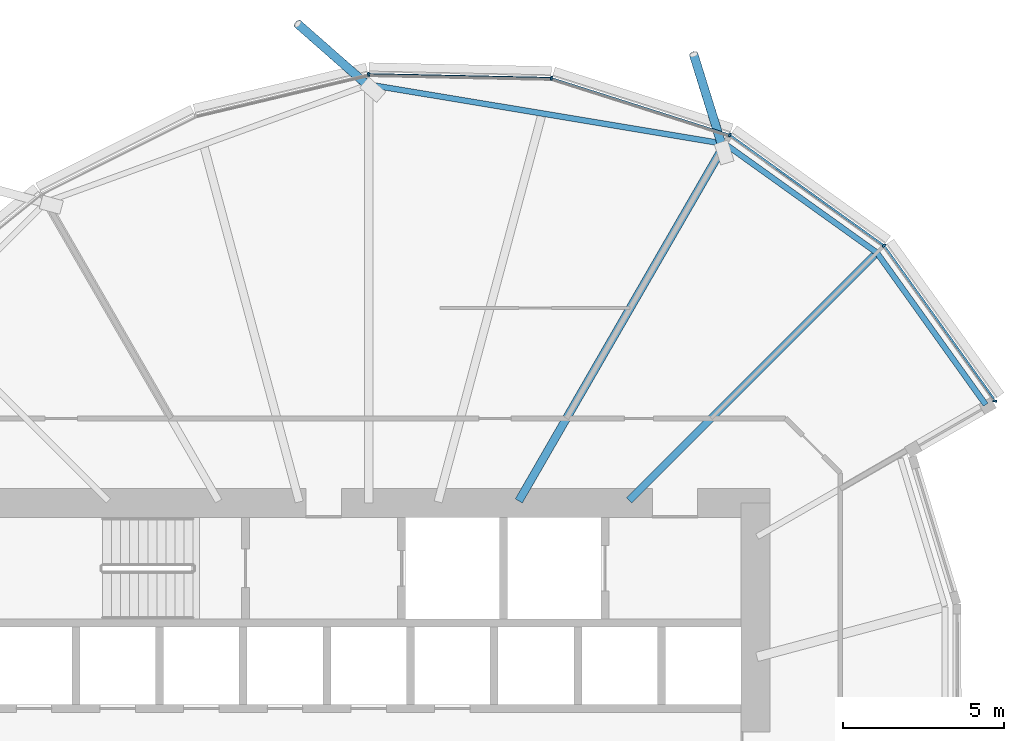
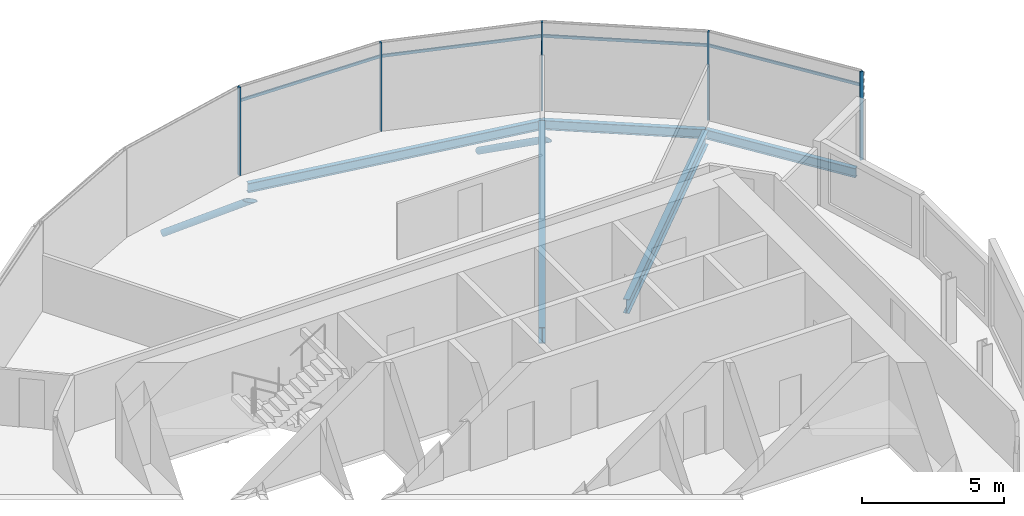
# One storey, part 18 of 38: 11 members, 5 beams, 1 element without a shape of its own.
"""IFC4 building model written with IfcOpenShell, lengths in metres."""

from ifc_helpers import new_model, si_unit, direction, frame, origin, origin_2d, place, context, subcontext, project, spatial, rectangle, hollow_circle, i_section, extrude, clip, halfspace, material, material_profile, profile_set, type_object, element, aggregate, save


model = new_model("IFC4")

# Units and contexts
model_context = context("Model", 3, precision=1e-05, world=origin(), true_north=direction((0.0, 1.0)))
body_context = subcontext(model_context, "Body", "Model", "MODEL_VIEW")
ifc_project = project(units=[si_unit("LENGTHUNIT", "METRE"), si_unit("AREAUNIT", "SQUARE_METRE"), si_unit("VOLUMEUNIT", "CUBIC_METRE"), si_unit("PLANEANGLEUNIT", "RADIAN"), si_unit("MASSUNIT", "GRAM", prefix="KILO")], contexts=[model_context])

# Site, building, storey
site_placement = place(None, origin())
site = spatial("IfcSite", under=ifc_project, at=site_placement, CompositionType="ELEMENT")
building_placement = place(site_placement, origin())
building = spatial("IfcBuilding", under=site, at=building_placement, Name="Rimbun Link Towers", CompositionType="ELEMENT")
storey_placement = place(building_placement, frame((0.0, 0.0, 49.0)))
storey = spatial("IfcBuildingStorey", under=building, at=storey_placement, Name="L11", CompositionType="ELEMENT", Elevation=49.0)

# Curtain wall, members
ifc_material_1 = material(Name="Aluminium 6063-T6 and low-iron glass", Category="aluminium")
curtain_wall_type = type_object("IfcCurtainWallType", Name="CW1 unitised vision wall", PredefinedType="NOTDEFINED", material=ifc_material_1)
curtain_wall_placement = place(storey_placement, origin())
curtain_wall = element("IfcCurtainWall", 1, at=curtain_wall_placement, inside=storey, type_object=curtain_wall_type, Name="CW1 L11 T2", PredefinedType="NOTDEFINED")
ifc_material_2 = material(Name="Aluminium 6063-T6", Category="aluminium")
ifc_material_profile_1 = material_profile(ifc_material_2, rectangle(XDim=0.1201171875, YDim=0.06005859375, at=origin_2d()), Name="MULLION 60X120")
ifc_profile_set_1 = profile_set([ifc_material_profile_1], Name="Aluminium 6063-T6")
member_type_1 = type_object("IfcMemberType", Name="CW1 mullion 60X120", PredefinedType="MULLION", material=ifc_profile_set_1)
member_1_placement = place(storey_placement, frame((42.953125, 19.4111328125, 0.0), z_axis=(0.0, 0.0, 1.0), x_axis=(0.44856777331, 0.893748819718, 0.0)))
member_1 = element("IfcMember", 2, at=member_1_placement, type_object=member_type_1, Name="CW1 mullion", PredefinedType="MULLION", context=body_context, shape_type="SweptSolid", body=[
    extrude(rectangle(XDim=0.1201171875, YDim=0.06005859375, at=origin_2d()), origin(), (0.0, 0.0, 1.0), 3.800048828125),
])
member_2_placement = place(storey_placement, frame((47.73193359375, 15.98193359375, 0.0), z_axis=(0.0, 0.0, 1.0), x_axis=(0.707106781187, 0.707106781187, 0.0)))
member_2 = element("IfcMember", 3, at=member_2_placement, type_object=member_type_1, Name="CW1 mullion", PredefinedType="MULLION", context=body_context, shape_type="SweptSolid", body=[
    extrude(rectangle(XDim=0.1201171875, YDim=0.06005859375, at=origin_2d()), origin(), (0.0, 0.0, 1.0), 3.800048828125),
])
member_3_placement = place(storey_placement, frame((37.4169921875, 21.171875, 0.0), z_axis=(0.0, 0.0, 1.0), x_axis=(0.163749935396, 0.986501879703, 0.0)))
member_3 = element("IfcMember", 4, at=member_3_placement, type_object=member_type_1, Name="CW1 mullion", PredefinedType="MULLION", context=body_context, shape_type="SweptSolid", body=[
    extrude(rectangle(XDim=0.1201171875, YDim=0.06005859375, at=origin_2d()), origin(), (0.0, 0.0, 1.0), 3.800048828125),
])
member_4_placement = place(storey_placement, frame((31.74365234375, 21.29150390625, 0.0), z_axis=(0.0, 0.0, 1.0), x_axis=(-0.106643098703, 0.994297364725, 0.0)))
member_4 = element("IfcMember", 5, at=member_4_placement, type_object=member_type_1, Name="CW1 mullion", PredefinedType="MULLION", context=body_context, shape_type="SweptSolid", body=[
    extrude(rectangle(XDim=0.1201171875, YDim=0.06005859375, at=origin_2d()), origin(), (0.0, 0.0, 1.0), 3.800048828125),
])
member_5_placement = place(storey_placement, frame((51.166259765625, 11.163330078125, 0.0), z_axis=(0.0, 0.0, 1.0), x_axis=(0.977528822736, -0.210801804358, 0.0)))
member_5 = element("IfcMember", 6, at=member_5_placement, type_object=member_type_1, Name="CW1 mullion", PredefinedType="MULLION", context=body_context, shape_type="SweptSolid", body=[
    extrude(rectangle(XDim=0.1201171875, YDim=0.06005859375, at=origin_2d()), origin(), (0.0, 0.0, 1.0), 3.800048828125),
])
ifc_material_3 = material(Name="Aluminium 6063-T6", Category="aluminium")
ifc_material_profile_2 = material_profile(ifc_material_3, rectangle(XDim=0.06005859375, YDim=0.1201171875, at=origin_2d()), Name="TRANSOM 60X120")
ifc_profile_set_2 = profile_set([ifc_material_profile_2], Name="Aluminium 6063-T6")
member_type_2 = type_object("IfcMemberType", Name="CW1 transom 60X120", PredefinedType="USERDEFINED", material=ifc_profile_set_2)
member_6_placement = place(storey_placement, frame((42.984375, 19.38720703125, 3.199951171875), z_axis=(0.812469366206, -0.583003884186, 0.0), x_axis=(0.583003884186, 0.812469366206, 0.0)))
member_6 = element("IfcMember", 7, at=member_6_placement, type_object=member_type_2, Name="CW1 transom", ObjectType="TRANSOM", PredefinedType="USERDEFINED", context=body_context, shape_type="SweptSolid", body=[
    extrude(rectangle(XDim=0.06005859375, YDim=0.1201171875, at=origin_2d()), origin(), (0.0, 0.0, 1.0), 5.802734375),
])
member_7_placement = place(storey_placement, frame((37.453369140625, 21.158935546875, 3.199951171875), z_axis=(0.952963255908, -0.30308585069, 0.0), x_axis=(0.30308585069, 0.952963255908, 0.0)))
member_7 = element("IfcMember", 8, at=member_7_placement, type_object=member_type_2, Name="CW1 transom", ObjectType="TRANSOM", PredefinedType="USERDEFINED", context=body_context, shape_type="SweptSolid", body=[
    extrude(rectangle(XDim=0.06005859375, YDim=0.1201171875, at=origin_2d()), origin(), (0.0, 0.0, 1.0), 5.731201171875),
])
member_8_placement = place(storey_placement, frame((31.78125, 21.289306640625, 3.199951171875), z_axis=(0.999778148103, -0.021063109375, 0.0), x_axis=(0.021063109375, 0.999778148103, 0.0)))
member_8 = element("IfcMember", 9, at=member_8_placement, type_object=member_type_2, Name="CW1 transom", ObjectType="TRANSOM", PredefinedType="USERDEFINED", context=body_context, shape_type="SweptSolid", body=[
    extrude(rectangle(XDim=0.06005859375, YDim=0.1201171875, at=origin_2d()), origin(), (0.0, 0.0, 1.0), 5.598388671875),
])
member_9_placement = place(storey_placement, frame((47.754150390625, 15.948974609375, 3.199951171875), z_axis=(0.583003884186, -0.812469366206, 0.0), x_axis=(0.812469366206, 0.583003884186, 0.0)))
member_9 = element("IfcMember", 10, at=member_9_placement, type_object=member_type_2, Name="CW1 transom", ObjectType="TRANSOM", PredefinedType="USERDEFINED", context=body_context, shape_type="SweptSolid", body=[
    extrude(rectangle(XDim=0.06005859375, YDim=0.1201171875, at=origin_2d()), origin(), (0.0, 0.0, 1.0), 5.802734375),
])
aggregate(curtain_wall, [member_1, member_2, member_3, member_4, member_5, member_6, member_7, member_8, member_9])

# Members
ifc_material_4 = material(Name="Steel S355J2H", Category="steel")
ifc_material_profile_3 = material_profile(ifc_material_4, hollow_circle(Radius=0.136474609375, WallThickness=0.012451171875, at=origin_2d()), Name="CHS 273x12.5")
ifc_profile_set_3 = profile_set([ifc_material_profile_3], Name="Steel S355J2H")
member_type_3 = type_object("IfcMemberType", Name="Floor edge link CHS 273x12.5", PredefinedType="BRACE", material=ifc_profile_set_3)
member_10_placement = place(storey_placement, frame((42.727783203125, 19.014404296875, -0.95947265625), z_axis=(-0.251623813066, 0.809436365446, -0.530564064926), x_axis=(-0.954923959005, -0.296850522179, 0.0)))
element("IfcMember", 11, at=member_10_placement, inside=storey, type_object=member_type_3, Name="Floor edge link T2 L11 01", PredefinedType="BRACE", context=body_context, shape_type="Clipping", body=[
    clip(extrude(hollow_circle(Radius=0.136474609375, WallThickness=0.012451171875, at=origin_2d()), frame((0.0, 0.0, -0.455078125)), (0.0, 0.0, 1.0), 4.0478515625), halfspace(frame((0.0, 0.0, -0.21484375), z_axis=(0.0, 0.847644838956, -0.530564064926)), False)),
])
member_11_placement = place(storey_placement, frame((31.75, 20.9248046875, -0.96142578125), z_axis=(-0.648753623044, 0.569764948578, -0.504466688652), x_axis=(-0.65988463011, -0.751366937618, 0.0)))
element("IfcMember", 12, at=member_11_placement, inside=storey, type_object=member_type_3, Name="Floor edge link T2 L11 03", PredefinedType="BRACE", context=body_context, shape_type="Clipping", body=[
    clip(extrude(hollow_circle(Radius=0.136474609375, WallThickness=0.012451171875, at=origin_2d()), frame((0.0, 0.0, -0.487060546875)), (0.0, 0.0, 1.0), 3.893310546875), halfspace(frame((0.0, 0.0, -0.229736328125), z_axis=(0.0, 0.863431155357, -0.504466688652)), False)),
])

# Beams
ifc_material_5 = material(Name="Steel S355J2", Category="steel")
ifc_material_profile_4 = material_profile(ifc_material_5, i_section(OverallWidth=0.177978515625, OverallDepth=0.406494140625, WebThickness=0.0078125, FlangeThickness=0.0126953125, at=origin_2d()), Name="UB 406x178x60")
ifc_profile_set_4 = profile_set([ifc_material_profile_4], Name="Steel S355J2")
beam_type_1 = type_object("IfcBeamType", Name="UB 406x178x60", PredefinedType="BEAM", material=ifc_profile_set_4)
beam_1_placement = place(storey_placement, frame((47.49755859375, 15.76953125, -0.36328125), z_axis=(-0.812956437558, 0.582324506296, 0.0), x_axis=(-0.582324506296, -0.812956437558, 0.0)))
element("IfcBeam", 13, at=beam_1_placement, inside=storey, type_object=beam_type_1, Name="Edge beam T2 L11 00", PredefinedType="BEAM", context=body_context, shape_type="SweptSolid", body=[
    extrude(i_section(OverallWidth=0.177978515625, OverallDepth=0.406494140625, WebThickness=0.0078125, FlangeThickness=0.0126953125, at=origin_2d()), origin(), (0.0, 0.0, 1.0), 5.77978515625),
])
beam_2_placement = place(storey_placement, frame((42.797119140625, 19.135986328125, -0.36328125), z_axis=(-0.986427283882, 0.164198701617, 0.0), x_axis=(-0.164198701617, -0.986427283882, 0.0)))
element("IfcBeam", 14, at=beam_2_placement, inside=storey, type_object=beam_type_1, Name="Edge beam T2 L11 01-03", PredefinedType="BEAM", context=body_context, shape_type="SweptSolid", body=[
    extrude(i_section(OverallWidth=0.177978515625, OverallDepth=0.406494140625, WebThickness=0.0078125, FlangeThickness=0.0126953125, at=origin_2d()), origin(), (0.0, 0.0, 1.0), 11.069580078125),
])
beam_3_placement = place(storey_placement, frame((50.88525390625, 11.048828125, -0.36328125), z_axis=(-0.582324506296, 0.812956437558, 0.0), x_axis=(-0.812956437558, -0.582324506296, 0.0)))
element("IfcBeam", 15, at=beam_3_placement, inside=storey, type_object=beam_type_1, Name="Edge beam T2 L11 23", PredefinedType="BEAM", context=body_context, shape_type="SweptSolid", body=[
    extrude(i_section(OverallWidth=0.177978515625, OverallDepth=0.406494140625, WebThickness=0.0078125, FlangeThickness=0.0126953125, at=origin_2d()), origin(), (0.0, 0.0, 1.0), 5.77978515625),
])
ifc_material_6 = material(Name="Steel S355J2", Category="steel")
ifc_material_profile_5 = material_profile(ifc_material_6, i_section(OverallWidth=0.2275390625, OverallDepth=0.6025390625, WebThickness=0.010498046875, FlangeThickness=0.014892578125, at=origin_2d()), Name="UB 610x229x101")
ifc_profile_set_5 = profile_set([ifc_material_profile_5], Name="Steel S355J2")
beam_type_2 = type_object("IfcBeamType", Name="UB 610x229x101", PredefinedType="BEAM", material=ifc_profile_set_5)
beam_4_placement = place(storey_placement, frame((39.831298828125, 8.081298828125, -0.461181640625), z_axis=(0.707106781187, 0.707106781187, 0.0), x_axis=(-0.707106781187, 0.707106781187, 0.0)))
element("IfcBeam", 16, at=beam_4_placement, inside=storey, type_object=beam_type_2, Name="Radial beam T2 L11 00", PredefinedType="BEAM", context=body_context, shape_type="SweptSolid", body=[
    extrude(i_section(OverallWidth=0.2275390625, OverallDepth=0.6025390625, WebThickness=0.010498046875, FlangeThickness=0.014892578125, at=origin_2d()), origin(), (0.0, 0.0, 1.0), 10.77001953125),
])
ifc_material_7 = material(Name="Steel S355J2", Category="steel")
ifc_material_profile_6 = material_profile(ifc_material_7, i_section(OverallWidth=0.253662109375, OverallDepth=0.68359375, WebThickness=0.012451171875, FlangeThickness=0.01904296875, at=origin_2d()), Name="UB 686x254x140")
ifc_profile_set_6 = profile_set([ifc_material_profile_6], Name="Steel S355J2")
beam_type_3 = type_object("IfcBeamType", Name="UB 686x254x140", PredefinedType="BEAM", material=ifc_profile_set_6)
beam_5_placement = place(storey_placement, frame((36.406005859375, 8.064208984375, -0.501708984375), z_axis=(0.49999271168, 0.866029611657, 0.0), x_axis=(-0.866029611657, 0.49999271168, 0.0)))
element("IfcBeam", 17, at=beam_5_placement, inside=storey, type_object=beam_type_3, Name="Radial beam T2 L11 01", PredefinedType="BEAM", context=body_context, shape_type="SweptSolid", body=[
    extrude(i_section(OverallWidth=0.253662109375, OverallDepth=0.68359375, WebThickness=0.012451171875, FlangeThickness=0.01904296875, at=origin_2d()), origin(), (0.0, 0.0, 1.0), 12.694091796875),
])

save(model, "model.ifc")
